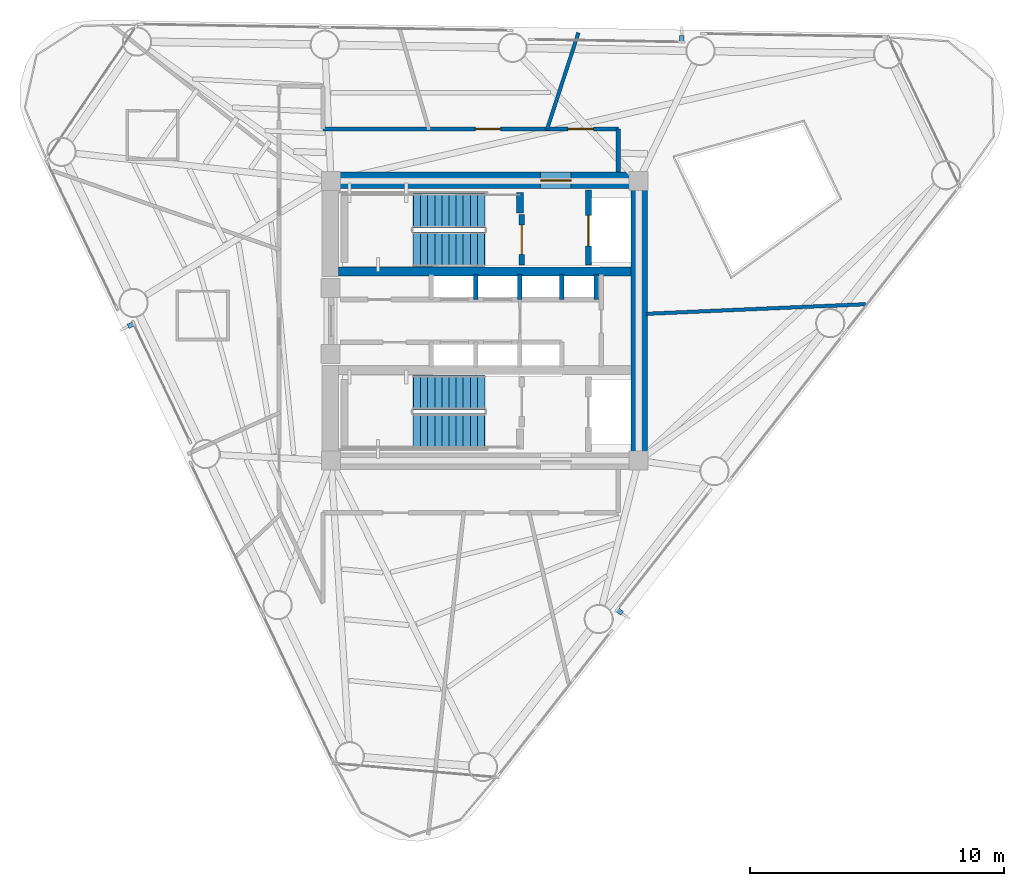
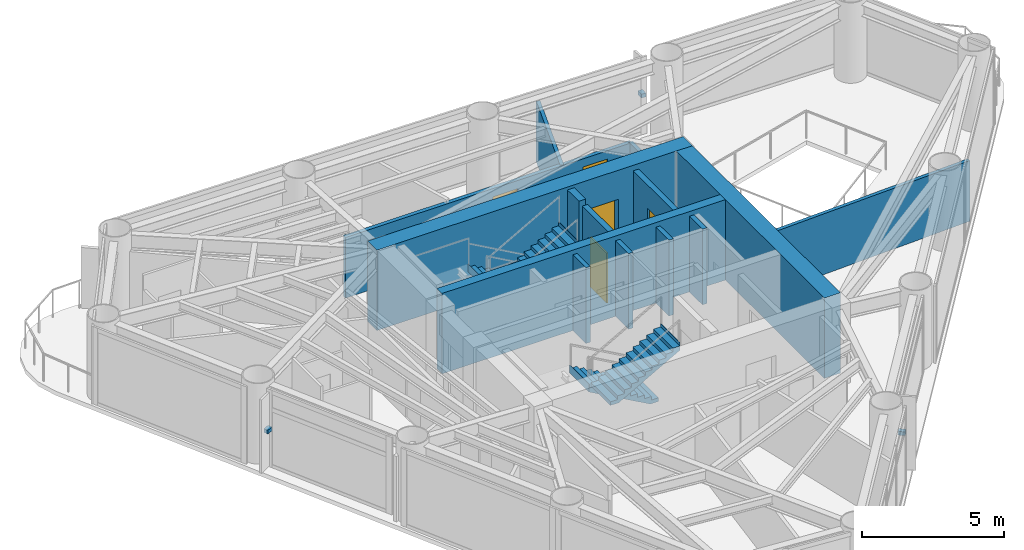
# One storey, part 6 of 9: 14 walls, 5 doors, 4 stair flights, 3 discrete accessories, 5 openings, 2 elements without a shape of their own.
"""IFC4 building model written with IfcOpenShell, lengths in metres."""

from ifc_helpers import new_model, si_unit, direction, frame, frame_2d, origin, origin_2d, place, context, subcontext, project, spatial, polyline, rectangle, outline, extrude, source, transform, mapped, material, layer, layer_set, type_object, element, fill, aggregate, save


model = new_model("IFC4")

# Units and contexts
model_context = context("Model", 3, precision=1e-05, world=origin(), true_north=direction((0.0, 1.0)))
body_context = subcontext(model_context, "Body", "Model", "MODEL_VIEW")
ifc_project = project(units=[si_unit("LENGTHUNIT", "METRE"), si_unit("AREAUNIT", "SQUARE_METRE"), si_unit("VOLUMEUNIT", "CUBIC_METRE"), si_unit("PLANEANGLEUNIT", "RADIAN"), si_unit("MASSUNIT", "GRAM", prefix="KILO")], contexts=[model_context])

# Site, building, storey
site_placement = place(None, origin())
site = spatial("IfcSite", under=ifc_project, at=site_placement, CompositionType="ELEMENT")
building_placement = place(site_placement, origin())
building = spatial("IfcBuilding", under=site, at=building_placement, Name="Yunling Apex Tower", CompositionType="ELEMENT")
storey_placement = place(building_placement, frame((0.0, 0.0, 205.25)))
storey = spatial("IfcBuildingStorey", under=building, at=storey_placement, Name="L50", CompositionType="ELEMENT", Elevation=205.25)

# Wall, opening, door
ifc_material_1 = material(Name="Concrete C50", Category="concrete")
ifc_layer_1 = layer(ifc_material_1, 0.64990234375)
ifc_layer_set_1 = layer_set([ifc_layer_1], Name="Concrete C50")
wall_type_1 = type_object("IfcWallType", Name="WL-COR-2", PredefinedType="SHEAR", material=ifc_layer_set_1)
wall_1_placement = place(storey_placement, frame((-6.39990234375, 5.52490234375, 0.0), z_axis=(0.0, 0.0, 1.0), x_axis=(1.0, 0.0, 0.0)))
wall_1 = element("IfcWall", 1, at=wall_1_placement, inside=storey, type_object=wall_type_1, Name="L50 North Core Shear Wall", PredefinedType="SHEAR", context=body_context, shape_type="SweptSolid", body=[
    extrude(rectangle(XDim=12.7998046875, YDim=0.64990234375, at=frame_2d((6.39990234375, 0.0))), origin(), (0.0, 0.0, 1.0), 3.449951171875),
])
opening_1_placement = place(wall_1_placement, frame((8.60009765625, 0.0, 0.0)))
opening_1 = element("IfcOpeningElement", 2, at=opening_1_placement, cuts=wall_1, Name="Opening DR-FFL-1", PredefinedType="OPENING", context=body_context, shape_type="SweptSolid", body=[
    extrude(rectangle(XDim=1.199951171875, YDim=2.199951171875, at=frame_2d((0.60009765625, 1.10009765625))), frame((0.0, 0.3349609375, 0.0), z_axis=(0.0, -1.0, 0.0), x_axis=(1.0, 0.0, 0.0)), (0.0, 0.0, 1.0), 0.669921875),
])
ifc_material_2 = material(Name="Steel Q355B", Category="steel")
door_type_1 = type_object("IfcDoorType", Name="DR-FFL-1", OperationType="NOTDEFINED", PredefinedType="DOOR", material=ifc_material_2)
door_1_placement = place(opening_1_placement, origin())
door_1 = element("IfcDoor", 3, at=door_1_placement, inside=storey, type_object=door_type_1, Name="L50 North Firefighting Lobby Door", OperationType="SINGLE_SWING_LEFT", OverallHeight=2.199951171875, OverallWidth=1.199951171875, PredefinedType="DOOR", context=body_context, shape_type="SweptSolid", body=[
    extrude(rectangle(XDim=1.199951171875, YDim=2.199951171875, at=frame_2d((0.60009765625, 1.10009765625))), frame((0.0, 0.02490234375, 0.0), z_axis=(0.0, -1.0, 0.0), x_axis=(1.0, 0.0, 0.0)), (0.0, 0.0, 1.0), 0.050048828125),
])
fill(opening_1, door_1)

# Walls
wall_2_placement = place(storey_placement, frame((6.074951171875, -5.199951171875, 0.0), z_axis=(0.0, 0.0, 1.0), x_axis=(0.0, 1.0, 0.0)))
element("IfcWall", 4, at=wall_2_placement, inside=storey, type_object=wall_type_1, Name="L50 East Core Shear Wall", PredefinedType="SHEAR", context=body_context, shape_type="SweptSolid", body=[
    extrude(rectangle(XDim=10.39990234375, YDim=0.64990234375, at=frame_2d((5.199951171875, 0.0))), origin(), (0.0, 0.0, 1.0), 3.449951171875),
])
ifc_material_3 = material(Name="Concrete C40", Category="concrete")
ifc_layer_2 = layer(ifc_material_3, 0.360107421875)
ifc_layer_set_2 = layer_set([ifc_layer_2], Name="Concrete C40")
wall_type_2 = type_object("IfcWallType", Name="WL-COR-4", PredefinedType="SHEAR", material=ifc_layer_set_2)
wall_3_placement = place(storey_placement, frame((-5.75, 1.93994140625, 0.0), z_axis=(0.0, 0.0, 1.0), x_axis=(1.0, 0.0, 0.0)))
element("IfcWall", 5, at=wall_3_placement, inside=storey, type_object=wall_type_2, Name="L50 North Internal Core Shear Wall", PredefinedType="SHEAR", context=body_context, shape_type="SweptSolid", body=[
    extrude(rectangle(XDim=11.5, YDim=0.360107421875, at=frame_2d((5.75, 0.0))), origin(), (0.0, 0.0, 1.0), 3.449951171875),
])
ifc_layer_3 = layer(ifc_material_3, 0.280029296875)
ifc_layer_set_3 = layer_set([ifc_layer_3], Name="Concrete C40")
wall_type_3 = type_object("IfcWallType", Name="WL-COR-8", PredefinedType="SHEAR", material=ifc_layer_set_3)
wall_4_placement = place(storey_placement, frame((1.3798828125, 4.25, 0.0), z_axis=(0.0, 0.0, 1.0), x_axis=(0.0, 1.0, 0.0)))
element("IfcWall", 6, at=wall_4_placement, inside=storey, type_object=wall_type_3, Name="L50 ST-1 East Landing Bearing Pier", PredefinedType="SHEAR", context=body_context, shape_type="SweptSolid", body=[
    extrude(rectangle(XDim=0.800048828125, YDim=0.280029296875, at=frame_2d((0.39990234375, 0.0))), origin(), (0.0, 0.0, 1.0), 3.449951171875),
])

# Wall, openings, doors
ifc_material_4 = material(Name="Gypsum board acoustic partition")
ifc_layer_4 = layer(ifc_material_4, 0.159912109375)
ifc_layer_set_4 = layer_set([ifc_layer_4], Name="Gypsum board acoustic partition")
wall_type_4 = type_object("IfcWallType", Name="WL-PRT-1", PredefinedType="PARTITIONING", material=ifc_layer_set_4)
wall_5_placement = place(storey_placement, frame((-6.360107421875, 7.550048828125, 0.0), z_axis=(0.0, 0.0, 1.0), x_axis=(1.0, 0.0, 0.0)))
wall_5 = element("IfcWall", 7, at=wall_5_placement, inside=storey, type_object=wall_type_4, Name="WL-CORR-L50-06", PredefinedType="PARTITIONING", context=body_context, shape_type="SweptSolid", body=[
    extrude(rectangle(XDim=11.610107421875, YDim=0.159912109375, at=frame_2d((5.80517578125, 0.0))), origin(), (0.0, 0.0, 1.0), 2.60498046875),
])
opening_2_placement = place(wall_5_placement, frame((5.984619140625, 0.0, 0.0)))
opening_2 = element("IfcOpeningElement", 8, at=opening_2_placement, cuts=wall_5, Name="Opening DR-OFF-1", PredefinedType="OPENING", context=body_context, shape_type="SweptSolid", body=[
    extrude(rectangle(XDim=1.0, YDim=2.25, at=frame_2d((0.5, 1.125))), frame((0.0, 0.08984375, 0.0), z_axis=(0.0, -1.0, 0.0), x_axis=(1.0, 0.0, 0.0)), (0.0, 0.0, 1.0), 0.179931640625),
])
opening_3_placement = place(wall_5_placement, frame((9.632568359375, 0.0, 0.0)))
opening_3 = element("IfcOpeningElement", 9, at=opening_3_placement, cuts=wall_5, Name="Opening DR-OFF-1", PredefinedType="OPENING", context=body_context, shape_type="SweptSolid", body=[
    extrude(rectangle(XDim=1.0, YDim=2.25, at=frame_2d((0.5, 1.125))), frame((0.0, 0.08984375, 0.0), z_axis=(0.0, -1.0, 0.0), x_axis=(1.0, 0.0, 0.0)), (0.0, 0.0, 1.0), 0.179931640625),
])
ifc_material_5 = material(Name="Bronze anodised aluminium", Category="aluminium")
door_type_2 = type_object("IfcDoorType", Name="DR-OFF-1", OperationType="NOTDEFINED", PredefinedType="DOOR", material=ifc_material_5)
door_2_placement = place(opening_2_placement, origin())
door_2 = element("IfcDoor", 10, at=door_2_placement, inside=storey, type_object=door_type_2, Name="L50 Club Lounge Door", OperationType="SINGLE_SWING_RIGHT", OverallHeight=2.25, OverallWidth=1.0, PredefinedType="DOOR", context=body_context, shape_type="SweptSolid", body=[
    extrude(rectangle(XDim=1.0, YDim=2.25, at=frame_2d((0.5, 1.125))), frame((0.0, 0.02490234375, 0.0), z_axis=(0.0, -1.0, 0.0), x_axis=(1.0, 0.0, 0.0)), (0.0, 0.0, 1.0), 0.050048828125),
])
fill(opening_2, door_2)
door_3_placement = place(opening_3_placement, origin())
door_3 = element("IfcDoor", 11, at=door_3_placement, inside=storey, type_object=door_type_2, Name="L50 Club Lounge Door", OperationType="SINGLE_SWING_LEFT", OverallHeight=2.25, OverallWidth=1.0, PredefinedType="DOOR", context=body_context, shape_type="SweptSolid", body=[
    extrude(rectangle(XDim=1.0, YDim=2.25, at=frame_2d((0.5, 1.125))), frame((0.0, 0.02490234375, 0.0), z_axis=(0.0, -1.0, 0.0), x_axis=(1.0, 0.0, 0.0)), (0.0, 0.0, 1.0), 0.050048828125),
])
fill(opening_3, door_3)

# Walls
wall_6_placement = place(storey_placement, frame((5.25, 7.550048828125, 0.0), z_axis=(0.0, 0.0, 1.0), x_axis=(0.0, -1.0, 0.0)))
element("IfcWall", 12, at=wall_6_placement, inside=storey, type_object=wall_type_4, Name="WL-CORR-L50-07", PredefinedType="PARTITIONING", context=body_context, shape_type="SweptSolid", body=[
    extrude(rectangle(XDim=1.699951171875, YDim=0.159912109375, at=frame_2d((0.85009765625, 0.0))), origin(), (0.0, 0.0, 1.0), 2.60498046875),
])
ifc_layer_5 = layer(ifc_material_4, 0.139892578125)
ifc_layer_set_5 = layer_set([ifc_layer_5], Name="Gypsum board acoustic partition")
wall_type_5 = type_object("IfcWallType", Name="WL-PRT-2", PredefinedType="PARTITIONING", material=ifc_layer_set_5)
wall_7_placement = place(storey_placement, frame((6.360107421875, 0.277587890625, 0.0), z_axis=(0.0, 0.0, 1.0), x_axis=(0.999047440648, 0.043637270025, 0.0)))
element("IfcWall", 13, at=wall_7_placement, inside=storey, type_object=wall_type_5, Name="WL-RAD-L50-01", PredefinedType="PARTITIONING", context=body_context, shape_type="SweptSolid", body=[
    extrude(rectangle(XDim=8.6328125, YDim=0.139892578125, at=frame_2d((4.31640625, 0.0))), origin(), (0.0, 0.0, 1.0), 2.60498046875),
])
wall_8_placement = place(storey_placement, frame((2.440185546875, 7.510009765625, 0.0), z_axis=(0.0, 0.0, 1.0), x_axis=(0.309013387048, 0.951057688379, 0.0)))
element("IfcWall", 14, at=wall_8_placement, inside=storey, type_object=wall_type_5, Name="WL-RAD-L50-02", PredefinedType="PARTITIONING", context=body_context, shape_type="SweptSolid", body=[
    extrude(rectangle(XDim=4.025390625, YDim=0.139892578125, at=frame_2d((2.0126953125, 0.0))), origin(), (0.0, 0.0, 1.0), 2.60498046875),
])

# Wall, opening, door
ifc_material_6 = material(Name="Autoclaved aerated concrete masonry", Category="masonry")
ifc_layer_6 = layer(ifc_material_6, 0.219970703125)
ifc_layer_set_6 = layer_set([ifc_layer_6], Name="Autoclaved aerated concrete masonry")
wall_type_6 = type_object("IfcWallType", Name="WL-SHF-1", PredefinedType="PLUMBINGWALL", material=ifc_layer_set_6)
wall_9_placement = place(storey_placement, frame((1.449951171875, 2.199951171875, 0.0), z_axis=(0.0, 0.0, 1.0), x_axis=(0.0, 1.0, 0.0)))
wall_9 = element("IfcWall", 15, at=wall_9_placement, inside=storey, type_object=wall_type_6, Name="WL-ST1-E-L50", PredefinedType="PLUMBINGWALL", context=body_context, shape_type="SweptSolid", body=[
    extrude(rectangle(XDim=1.97998046875, YDim=0.219970703125, at=frame_2d((0.989990234375, 0.0))), origin(), (0.0, 0.0, 1.0), 3.25),
])
opening_4_placement = place(wall_9_placement, frame((0.419921875, 0.0, 0.0)))
opening_4 = element("IfcOpeningElement", 16, at=opening_4_placement, cuts=wall_9, Name="Opening DR-ST-1", PredefinedType="OPENING", context=body_context, shape_type="SweptSolid", body=[
    extrude(rectangle(XDim=1.14990234375, YDim=2.14990234375, at=frame_2d((0.574951171875, 1.074951171875))), frame((0.0, 0.1201171875, 0.0), z_axis=(0.0, -1.0, 0.0), x_axis=(1.0, 0.0, 0.0)), (0.0, 0.0, 1.0), 0.239990234375),
])
door_type_3 = type_object("IfcDoorType", Name="DR-ST-1", OperationType="NOTDEFINED", PredefinedType="DOOR", material=ifc_material_2)
door_4_placement = place(opening_4_placement, origin())
door_4 = element("IfcDoor", 17, at=door_4_placement, inside=storey, type_object=door_type_3, Name="L50 Stair ST-1 Fire Door", OperationType="SINGLE_SWING_RIGHT", OverallHeight=2.14990234375, OverallWidth=1.14990234375, PredefinedType="DOOR", context=body_context, shape_type="SweptSolid", body=[
    extrude(rectangle(XDim=1.14990234375, YDim=2.14990234375, at=frame_2d((0.574951171875, 1.074951171875))), frame((0.0, 0.02490234375, 0.0), z_axis=(0.0, -1.0, 0.0), x_axis=(1.0, 0.0, 0.0)), (0.0, 0.0, 1.0), 0.050048828125),
])
fill(opening_4, door_4)

wall_10_placement = place(storey_placement, frame((4.080078125, 2.199951171875, 0.0), z_axis=(0.0, 0.0, 1.0), x_axis=(0.0, 1.0, 0.0)))
wall_10 = element("IfcWall", 18, at=wall_10_placement, inside=storey, type_object=wall_type_6, Name="WL-FFL1-W-L50", PredefinedType="PLUMBINGWALL", context=body_context, shape_type="SweptSolid", body=[
    extrude(rectangle(XDim=2.949951171875, YDim=0.219970703125, at=frame_2d((1.47509765625, 0.0))), origin(), (0.0, 0.0, 1.0), 3.25),
])
opening_5_placement = place(wall_10_placement, frame((0.75, 0.0, 0.0)))
opening_5 = element("IfcOpeningElement", 19, at=opening_5_placement, cuts=wall_10, Name="Opening LD-FFL-1", PredefinedType="OPENING", context=body_context, shape_type="SweptSolid", body=[
    extrude(rectangle(XDim=1.199951171875, YDim=2.25, at=frame_2d((0.60009765625, 1.125))), frame((0.0, 0.1201171875, 0.0), z_axis=(0.0, -1.0, 0.0), x_axis=(1.0, 0.0, 0.0)), (0.0, 0.0, 1.0), 0.239990234375),
])
door_type_4 = type_object("IfcDoorType", Name="LD-FFL-1", OperationType="DOUBLE_DOOR_SLIDING", PredefinedType="DOOR", material=ifc_material_2)
door_5_placement = place(opening_5_placement, origin())
door_5 = element("IfcDoor", 20, at=door_5_placement, inside=storey, type_object=door_type_4, Name="L50 Lift FFL-1 Landing Door", OperationType="DOUBLE_DOOR_SLIDING", OverallHeight=2.25, OverallWidth=1.199951171875, PredefinedType="DOOR", context=body_context, shape_type="SweptSolid", body=[
    extrude(rectangle(XDim=1.199951171875, YDim=2.25, at=frame_2d((0.60009765625, 1.125))), frame((0.0, 0.02490234375, 0.0), z_axis=(0.0, -1.0, 0.0), x_axis=(1.0, 0.0, 0.0)), (0.0, 0.0, 1.0), 0.050048828125),
])
fill(opening_5, door_5)

# Walls
ifc_layer_7 = layer(ifc_material_6, 0.179931640625)
ifc_layer_set_7 = layer_set([ifc_layer_7], Name="Autoclaved aerated concrete masonry")
wall_type_7 = type_object("IfcWallType", Name="WL-SHF-2", PredefinedType="PLUMBINGWALL", material=ifc_layer_set_7)
for number, where, z_axis, x_axis, name in (
    (21, (-0.35009765625, 0.840087890625, 0.0), (0.0, 0.0, 1.0), (0.0, 1.0, 0.0), "WL-DIV-M12-L50"),
    (22, (1.3798828125, 0.840087890625, 0.0), (0.0, 0.0, 1.0), (0.0, 1.0, 0.0), "WL-BNK-MH-N-L50"),
    (23, (3.02001953125, 0.840087890625, 0.0), (0.0, 0.0, 1.0), (0.0, 1.0, 0.0), "WL-DIV-H13-L50"),
    (24, (4.3798828125, 0.840087890625, 0.0), (0.0, 0.0, 1.0), (0.0, 1.0, 0.0), "WL-END-H3E-L50"),
):
    element("IfcWall", number, at=place(storey_placement, frame(where, z_axis=z_axis, x_axis=x_axis)), inside=storey, type_object=wall_type_7, Name=name, PredefinedType="PLUMBINGWALL", context=body_context, shape_type="SweptSolid", body=[
        extrude(rectangle(XDim=0.97998046875, YDim=0.179931640625, at=frame_2d((0.489990234375, 0.0))), origin(), (0.0, 0.0, 1.0), 3.25),
    ])

# Stair, stair flights
stair_type = type_object("IfcStairType", Name="ST-TWR-2", PredefinedType="HALF_TURN_STAIR", material=ifc_material_3)
stair_1_placement = place(storey_placement, origin())
stair_1 = element("IfcStair", 25, at=stair_1_placement, inside=storey, type_object=stair_type, Name="L50 North Core Smokeproof Exit Stair ST-1", PredefinedType="HALF_TURN_STAIR")
stair_flight_type = type_object("IfcStairFlightType", Name="SFL-TWR-2", PredefinedType="STRAIGHT", material=ifc_material_3)
stair_flight_1_placement = place(storey_placement, frame((-0.010009765625, 4.330078125, 0.0), z_axis=(0.0, 0.0, 1.0), x_axis=(-1.0, 0.0, 0.0)))
stair_flight_1 = element("IfcStairFlight", 26, at=stair_flight_1_placement, type_object=stair_flight_type, Name="ST-1 flight 1", NumberOfRisers=11, NumberOfTreads=10, PredefinedType="STRAIGHT", RiserHeight=0.156818182, TreadLength=0.28, context=body_context, shape_type="SweptSolid", body=[
    extrude(outline(polyline([(-0.011962890625, 0.0), (-0.011962890625, 0.15673828125), (0.0, 0.15673828125), (0.280029296875, 0.15673828125), (0.280029296875, 0.313720703125), (0.56005859375, 0.313720703125), (0.56005859375, 0.470458984375), (0.840087890625, 0.470458984375), (0.840087890625, 0.627197265625), (1.1201171875, 0.627197265625), (1.1201171875, 0.7841796875), (1.39990234375, 0.7841796875), (1.39990234375, 0.94091796875), (1.679931640625, 0.94091796875), (1.679931640625, 1.09765625), (1.9599609375, 1.09765625), (1.9599609375, 1.254638671875), (2.239990234375, 1.254638671875), (2.239990234375, 1.411376953125), (2.52001953125, 1.411376953125), (2.52001953125, 1.568115234375), (2.800048828125, 1.568115234375), (2.800048828125, 1.72509765625), (2.81201171875, 1.72509765625), (2.81201171875, 1.385009765625), (0.3271484375, 0.0), (-0.011962890625, 0.0)])), frame((0.0, 0.68017578125, 0.0), z_axis=(0.0, -1.0, 0.0), x_axis=(1.0, 0.0, 0.0)), (0.0, 0.0, 1.0), 1.360107421875),
])
stair_flight_2_placement = place(storey_placement, frame((-2.81005859375, 2.820068359375, 1.72509765625), z_axis=(0.0, 0.0, 1.0), x_axis=(1.0, 0.0, 0.0)))
stair_flight_2 = element("IfcStairFlight", 27, at=stair_flight_2_placement, type_object=stair_flight_type, Name="ST-1 flight 2", NumberOfRisers=11, NumberOfTreads=10, PredefinedType="STRAIGHT", RiserHeight=0.156818182, TreadLength=0.28, context=body_context, shape_type="SweptSolid", body=[
    extrude(outline(polyline([(-0.011962890625, 0.0), (-0.011962890625, 0.15673828125), (0.0, 0.15673828125), (0.280029296875, 0.15673828125), (0.280029296875, 0.313720703125), (0.56005859375, 0.313720703125), (0.56005859375, 0.470458984375), (0.840087890625, 0.470458984375), (0.840087890625, 0.627197265625), (1.1201171875, 0.627197265625), (1.1201171875, 0.7841796875), (1.39990234375, 0.7841796875), (1.39990234375, 0.94091796875), (1.679931640625, 0.94091796875), (1.679931640625, 1.09765625), (1.9599609375, 1.09765625), (1.9599609375, 1.254638671875), (2.239990234375, 1.254638671875), (2.239990234375, 1.411376953125), (2.52001953125, 1.411376953125), (2.52001953125, 1.568115234375), (2.800048828125, 1.568115234375), (2.800048828125, 1.72509765625), (2.81201171875, 1.72509765625), (2.81201171875, 1.385009765625), (0.3271484375, 0.0), (-0.011962890625, 0.0)])), frame((0.0, 0.68017578125, 0.0), z_axis=(0.0, -1.0, 0.0), x_axis=(1.0, 0.0, 0.0)), (0.0, 0.0, 1.0), 1.360107421875),
])
aggregate(stair_1, [stair_flight_1, stair_flight_2])

stair_2_placement = place(storey_placement, origin())
stair_2 = element("IfcStair", 28, at=stair_2_placement, inside=storey, type_object=stair_type, Name="L50 South Core Smokeproof Exit Stair ST-2", PredefinedType="HALF_TURN_STAIR")
stair_flight_3_placement = place(storey_placement, frame((-0.010009765625, -2.820068359375, 0.0), z_axis=(0.0, 0.0, 1.0), x_axis=(-1.0, 0.0, 0.0)))
stair_flight_3 = element("IfcStairFlight", 29, at=stair_flight_3_placement, type_object=stair_flight_type, Name="ST-2 flight 1", NumberOfRisers=11, NumberOfTreads=10, PredefinedType="STRAIGHT", RiserHeight=0.156818182, TreadLength=0.28, context=body_context, shape_type="SweptSolid", body=[
    extrude(outline(polyline([(-0.011962890625, 0.0), (-0.011962890625, 0.15673828125), (0.0, 0.15673828125), (0.280029296875, 0.15673828125), (0.280029296875, 0.313720703125), (0.56005859375, 0.313720703125), (0.56005859375, 0.470458984375), (0.840087890625, 0.470458984375), (0.840087890625, 0.627197265625), (1.1201171875, 0.627197265625), (1.1201171875, 0.7841796875), (1.39990234375, 0.7841796875), (1.39990234375, 0.94091796875), (1.679931640625, 0.94091796875), (1.679931640625, 1.09765625), (1.9599609375, 1.09765625), (1.9599609375, 1.254638671875), (2.239990234375, 1.254638671875), (2.239990234375, 1.411376953125), (2.52001953125, 1.411376953125), (2.52001953125, 1.568115234375), (2.800048828125, 1.568115234375), (2.800048828125, 1.72509765625), (2.81201171875, 1.72509765625), (2.81201171875, 1.385009765625), (0.3271484375, 0.0), (-0.011962890625, 0.0)])), frame((0.0, 0.68017578125, 0.0), z_axis=(0.0, -1.0, 0.0), x_axis=(1.0, 0.0, 0.0)), (0.0, 0.0, 1.0), 1.360107421875),
])
stair_flight_4_placement = place(storey_placement, frame((-2.81005859375, -4.330078125, 1.72509765625), z_axis=(0.0, 0.0, 1.0), x_axis=(1.0, 0.0, 0.0)))
stair_flight_4 = element("IfcStairFlight", 30, at=stair_flight_4_placement, type_object=stair_flight_type, Name="ST-2 flight 2", NumberOfRisers=11, NumberOfTreads=10, PredefinedType="STRAIGHT", RiserHeight=0.156818182, TreadLength=0.28, context=body_context, shape_type="SweptSolid", body=[
    extrude(outline(polyline([(-0.011962890625, 0.0), (-0.011962890625, 0.15673828125), (0.0, 0.15673828125), (0.280029296875, 0.15673828125), (0.280029296875, 0.313720703125), (0.56005859375, 0.313720703125), (0.56005859375, 0.470458984375), (0.840087890625, 0.470458984375), (0.840087890625, 0.627197265625), (1.1201171875, 0.627197265625), (1.1201171875, 0.7841796875), (1.39990234375, 0.7841796875), (1.39990234375, 0.94091796875), (1.679931640625, 0.94091796875), (1.679931640625, 1.09765625), (1.9599609375, 1.09765625), (1.9599609375, 1.254638671875), (2.239990234375, 1.254638671875), (2.239990234375, 1.411376953125), (2.52001953125, 1.411376953125), (2.52001953125, 1.568115234375), (2.800048828125, 1.568115234375), (2.800048828125, 1.72509765625), (2.81201171875, 1.72509765625), (2.81201171875, 1.385009765625), (0.3271484375, 0.0), (-0.011962890625, 0.0)])), frame((0.0, 0.68017578125, 0.0), z_axis=(0.0, -1.0, 0.0), x_axis=(1.0, 0.0, 0.0)), (0.0, 0.0, 1.0), 1.360107421875),
])
aggregate(stair_2, [stair_flight_3, stair_flight_4])

# Discrete accessories
discrete_accessory_type = type_object("IfcDiscreteAccessoryType", Name="BK-FIN-1", PredefinedType="BRACKET", material=ifc_material_2)
shared_shape = source(origin(), body_context, "Body", "SweptSolid", [
    extrude(rectangle(XDim=0.179931640625, YDim=0.260009765625, at=origin_2d()), origin(), (0.0, 0.0, 1.0), 0.159912109375),
])
for number, where, z_axis, x_axis, name in (
    (31, (5.299072265625, -11.432861328125, 1.55517578125), (0.0, 0.0, 1.0), (0.616211460536, 0.787580748815, 0.0), "CW-L50-F1-B2-BRK-01-1"),
    (32, (7.749755859375, 11.090087890625, 1.55517578125), (0.0, 0.0, 1.0), (-0.999859635577, 0.016754376869, 0.0), "CW-L50-F2-B2-BRK-01-1"),
    (33, (-13.9189453125, -0.16162109375, 1.55517578125), (0.0, 0.0, 1.0), (0.430511096808, -0.90258528435, 0.0), "CW-L50-F3-B2-BRK-01-1"),
):
    element("IfcDiscreteAccessory", number, at=place(storey_placement, frame(where, z_axis=z_axis, x_axis=x_axis)), inside=storey, type_object=discrete_accessory_type, Name=name, PredefinedType="BRACKET", context=body_context, shape_type="MappedRepresentation", body=[
        mapped(shared_shape, transform((0.0, 0.0, 0.0), scale=1.0)),
    ])

save(model, "model.ifc")
